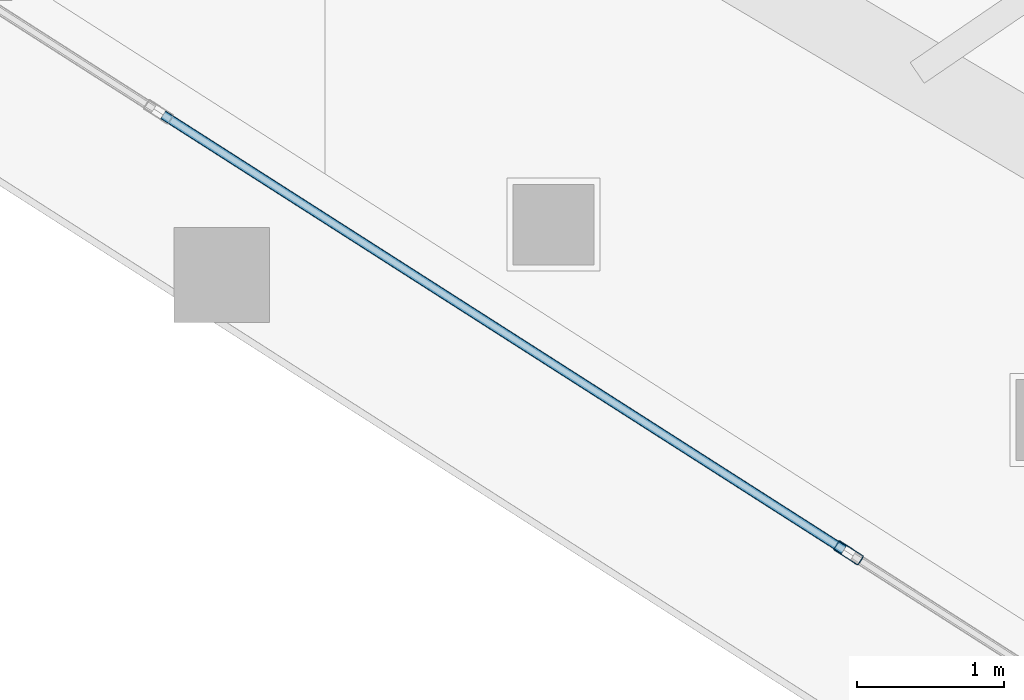
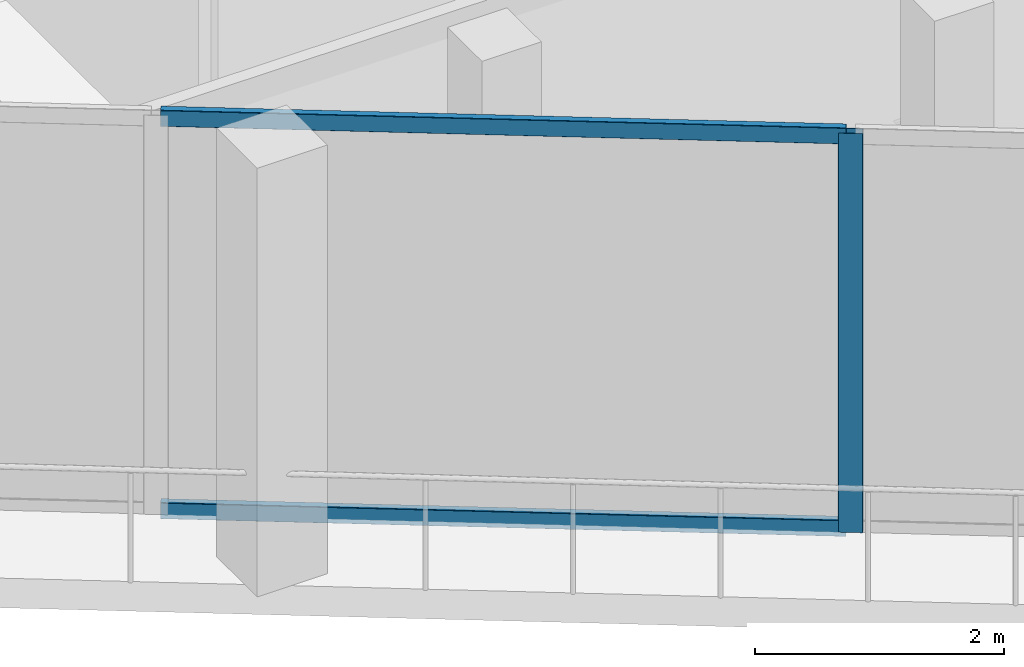
# One storey, part 4 of 34: 3 members, 1 element without a shape of its own.
"""IFC4 building model written with IfcOpenShell, lengths in metres."""

from ifc_helpers import new_model, si_unit, direction, frame, origin, origin_2d, place, context, subcontext, project, spatial, hollow_rectangle, extrude, material, layer, layer_set, material_profile, profile_set, type_object, element, aggregate, save


model = new_model("IFC4")

# Units and contexts
model_context = context("Model", 3, precision=1e-05, world=origin(), true_north=direction((0.0, 1.0)))
body_context = subcontext(model_context, "Body", "Model", "MODEL_VIEW")
ifc_project = project(units=[si_unit("LENGTHUNIT", "METRE"), si_unit("AREAUNIT", "SQUARE_METRE"), si_unit("VOLUMEUNIT", "CUBIC_METRE"), si_unit("PLANEANGLEUNIT", "RADIAN"), si_unit("MASSUNIT", "GRAM", prefix="KILO")], contexts=[model_context])

# Site, building, storey
site_placement = place(None, origin())
site = spatial("IfcSite", under=ifc_project, at=site_placement, CompositionType="ELEMENT")
building_placement = place(site_placement, origin())
building = spatial("IfcBuilding", under=site, at=building_placement, Name="Qorvath Tower", CompositionType="ELEMENT")
storey_placement = place(building_placement, frame((0.0, 0.0, 268.199951171875)))
storey = spatial("IfcBuildingStorey", under=building, at=storey_placement, Name="L62", CompositionType="ELEMENT", Elevation=268.199951171875)

# Curtain wall, members
ifc_material_1 = material(Name="Anodised aluminium and triple low-E glass", Category="aluminium")
ifc_layer = layer(ifc_material_1, 0.179931640625)
ifc_layer_set = layer_set([ifc_layer], Name="CW-SYS-4")
curtain_wall_type = type_object("IfcCurtainWallType", Name="CW-SYS-4", PredefinedType="NOTDEFINED", material=ifc_layer_set)
curtain_wall_placement = place(storey_placement, origin())
curtain_wall = element("IfcCurtainWall", 1, at=curtain_wall_placement, inside=storey, type_object=curtain_wall_type, Name="Curtain Wall CW-4 CW-T-L62-2.1", PredefinedType="NOTDEFINED")
ifc_material_2 = material(Name="Anodised aluminium 6063-T6", Category="aluminium")
ifc_material_profile_1 = material_profile(ifc_material_2, hollow_rectangle(XDim=0.074951171875, YDim=0.199951171875, WallThickness=0.00390625, InnerFilletRadius=0.00390625, OuterFilletRadius=0.008056640625, at=origin_2d()), Name="CWM 200x75")
ifc_profile_set_1 = profile_set([ifc_material_profile_1], Name="Anodised aluminium 6063-T6")
member_type_1 = type_object("IfcMemberType", Name="CWM-200", PredefinedType="MULLION", material=ifc_profile_set_1)
member_1_placement = place(storey_placement, frame((-32.093505859375, -15.029541015625, 0.0), z_axis=(0.0, 0.0, 1.0), x_axis=(0.538533509281, 0.842604094093, 0.0)))
member_1 = element("IfcMember", 2, at=member_1_placement, type_object=member_type_1, Name="CW-4 mullion 5", PredefinedType="MULLION", context=body_context, shape_type="SweptSolid", body=[
    extrude(hollow_rectangle(XDim=0.074951171875, YDim=0.199951171875, WallThickness=0.00390625, InnerFilletRadius=0.00390625, OuterFilletRadius=0.008056640625, at=origin_2d()), origin(), (0.0, 0.0, 1.0), 3.91015625),
])
ifc_material_3 = material(Name="Anodised aluminium 6063-T6", Category="aluminium")
ifc_material_profile_2 = material_profile(ifc_material_3, hollow_rectangle(XDim=0.06494140625, YDim=0.159912109375, WallThickness=0.00341796875, InnerFilletRadius=0.00341796875, OuterFilletRadius=0.007080078125, at=origin_2d()), Name="CWT 160x65")
ifc_profile_set_2 = profile_set([ifc_material_profile_2], Name="Anodised aluminium 6063-T6")
member_type_2 = type_object("IfcMemberType", Name="CWT-160", PredefinedType="USERDEFINED", material=ifc_profile_set_2)
member_2_placement = place(storey_placement, frame((-36.76513671875, -12.0439453125, 0.032470703125), z_axis=(0.842597346925, -0.538544065935, 0.0), x_axis=(0.538544065935, 0.842597346925, 0.0)))
member_2 = element("IfcMember", 3, at=member_2_placement, type_object=member_type_2, Name="CW-4 transom 4.1", ObjectType="TRANSOM", PredefinedType="USERDEFINED", context=body_context, shape_type="SweptSolid", body=[
    extrude(hollow_rectangle(XDim=0.06494140625, YDim=0.159912109375, WallThickness=0.00341796875, InnerFilletRadius=0.00341796875, OuterFilletRadius=0.007080078125, at=origin_2d()), origin(), (0.0, 0.0, 1.0), 5.506591796875),
])
member_3_placement = place(storey_placement, frame((-36.76513671875, -12.0439453125, 3.877685546875), z_axis=(0.842597346925, -0.538544065935, 0.0), x_axis=(0.538544065935, 0.842597346925, 0.0)))
member_3 = element("IfcMember", 4, at=member_3_placement, type_object=member_type_2, Name="CW-4 transom 4.2", ObjectType="TRANSOM", PredefinedType="USERDEFINED", context=body_context, shape_type="SweptSolid", body=[
    extrude(hollow_rectangle(XDim=0.06494140625, YDim=0.159912109375, WallThickness=0.00341796875, InnerFilletRadius=0.00341796875, OuterFilletRadius=0.007080078125, at=origin_2d()), origin(), (0.0, 0.0, 1.0), 5.506591796875),
])
aggregate(curtain_wall, [member_1, member_2, member_3])

save(model, "model.ifc")
